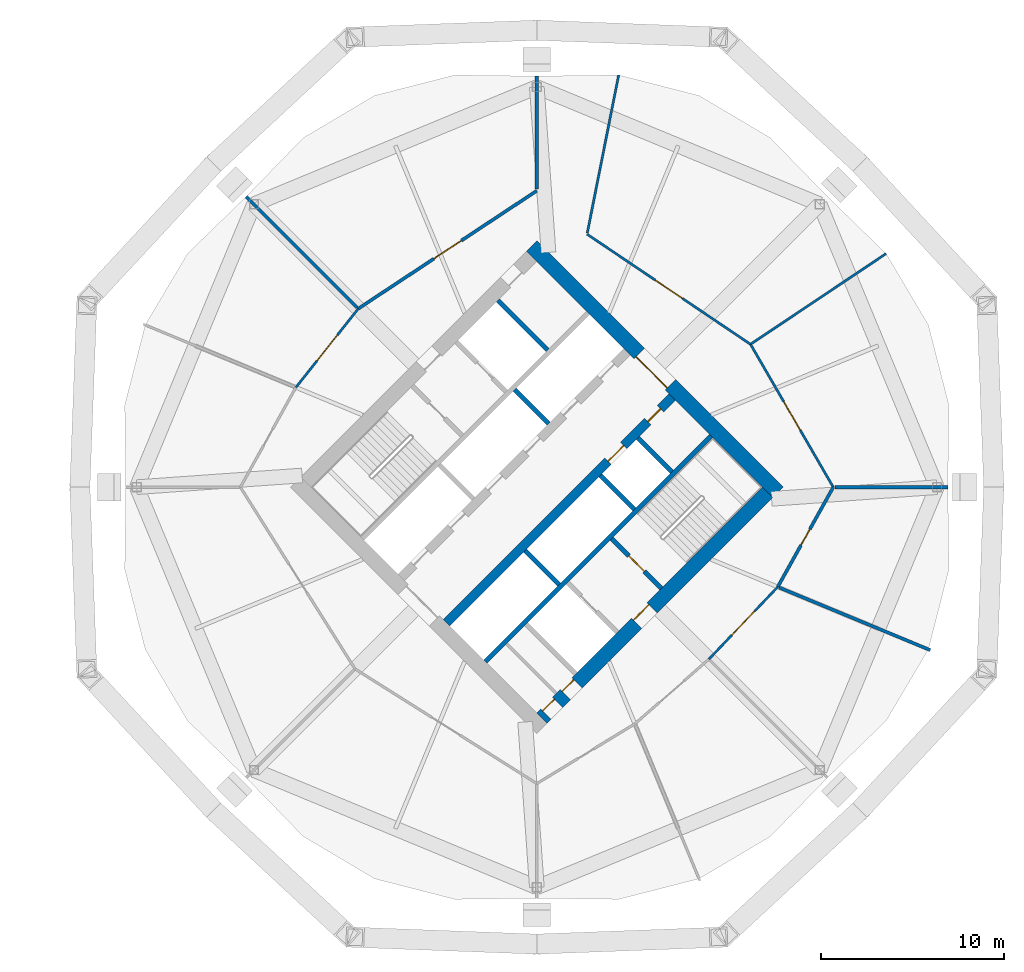
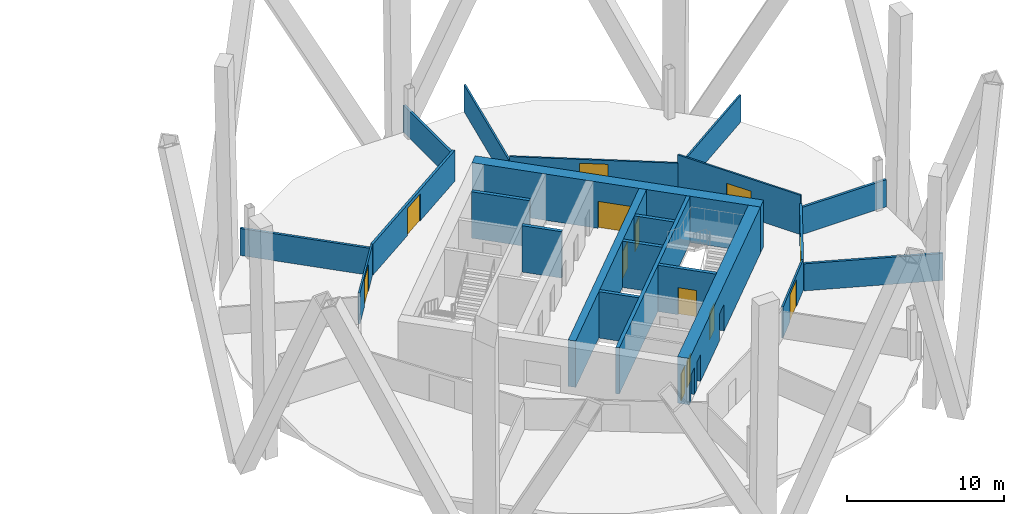
# One storey, part 7 of 10: 22 walls, 13 doors, 13 openings.
"""IFC4 building model written with IfcOpenShell, lengths in metres."""

from ifc_helpers import new_model, si_unit, direction, frame, frame_2d, origin, place, context, subcontext, project, spatial, rectangle, extrude, material, layer, layer_set, type_object, element, fill, save


model = new_model("IFC4")

# Units and contexts
model_context = context("Model", 3, precision=1e-05, world=origin(), true_north=direction((0.0, 1.0)))
body_context = subcontext(model_context, "Body", "Model", "MODEL_VIEW")
ifc_project = project(units=[si_unit("LENGTHUNIT", "METRE"), si_unit("AREAUNIT", "SQUARE_METRE"), si_unit("VOLUMEUNIT", "CUBIC_METRE"), si_unit("PLANEANGLEUNIT", "RADIAN"), si_unit("MASSUNIT", "GRAM", prefix="KILO")], contexts=[model_context])

# Site, building, storey
site_placement = place(None, origin())
site = spatial("IfcSite", under=ifc_project, at=site_placement, CompositionType="ELEMENT")
building_placement = place(site_placement, origin())
building = spatial("IfcBuilding", under=site, at=building_placement, Name="Ogive Gate Towers", CompositionType="ELEMENT")
storey_placement = place(building_placement, frame((0.0, 0.0, 36.300048828125)))
storey = spatial("IfcBuildingStorey", under=building, at=storey_placement, Name="L07", CompositionType="ELEMENT", Elevation=36.300048828125)

# Walls
ifc_material_1 = material(Name="Gypsum board acoustic partition")
ifc_layer_1 = layer(ifc_material_1, 0.175048828125)
ifc_layer_set_1 = layer_set([ifc_layer_1], Name="Acoustic partition 175")
wall_type_1 = type_object("IfcWallType", Name="Acoustic partition 175", PredefinedType="PARTITIONING", material=ifc_layer_set_1)
for number, where, z_axis, x_axis, name in (
    (1, (58.408935546875, 0.0, 0.0), (0.0, 0.0, 1.0), (-1.0, 0.0, 0.0), "Partition T2-L07-001"),
    (2, (36.0, 22.408935546875, 0.0), (0.0, 0.0, 1.0), (0.0, -1.0, 0.0), "Partition T2-L07-004"),
):
    element("IfcWall", number, at=place(storey_placement, frame(where, z_axis=z_axis, x_axis=x_axis)), inside=storey, type_object=wall_type_1, Name=name, PredefinedType="PARTITIONING", context=body_context, shape_type="SweptSolid", body=[
        extrude(rectangle(XDim=6.161376953125, YDim=0.175048828125, at=frame_2d((3.08056640625, 0.0))), origin(), (0.0, 0.0, 1.0), 2.099853515625),
    ])
wall_1_placement = place(storey_placement, frame((20.154296875, 15.845703125, 0.0), z_axis=(0.0, 0.0, 1.0), x_axis=(0.707106781187, -0.707106781187, 0.0)))
element("IfcWall", 3, at=wall_1_placement, inside=storey, type_object=wall_type_1, Name="Partition T2-L07-005", PredefinedType="PARTITIONING", context=body_context, shape_type="SweptSolid", body=[
    extrude(rectangle(XDim=8.557861328125, YDim=0.175048828125, at=frame_2d((4.27880859375, 0.0))), origin(), (0.0, 0.0, 1.0), 2.099853515625),
])
wall_2_placement = place(storey_placement, frame((57.452880859375, -8.885986328125, 0.0), z_axis=(0.0, 0.0, 1.0), x_axis=(-0.923884034118, 0.382672564344, 0.0)))
element("IfcWall", 4, at=wall_2_placement, inside=storey, type_object=wall_type_1, Name="Partition T2-L07-012", PredefinedType="PARTITIONING", context=body_context, shape_type="SweptSolid", body=[
    extrude(rectangle(XDim=8.917724609375, YDim=0.175048828125, at=frame_2d((4.458984375, 0.0))), origin(), (0.0, 0.0, 1.0), 2.099853515625),
])

# Wall, opening, door
wall_3_placement = place(storey_placement, frame((36.0, 16.159912109375, 0.0), z_axis=(0.0, 0.0, 1.0), x_axis=(-0.834464064911, -0.551062359785, 0.0)))
wall_3 = element("IfcWall", 5, at=wall_3_placement, inside=storey, type_object=wall_type_1, Name="Partition T2-L07-013", PredefinedType="PARTITIONING", context=body_context, shape_type="SweptSolid", body=[
    extrude(rectangle(XDim=11.663330078125, YDim=0.175048828125, at=frame_2d((5.83154296875, 0.0))), origin(), (0.0, 0.0, 1.0), 2.39990234375),
])
opening_1_placement = place(wall_3_placement, frame((4.931884765625, 0.0, 0.0)))
opening_1 = element("IfcOpeningElement", 6, at=opening_1_placement, cuts=wall_3, Name="Opening T2-L07-D01", PredefinedType="OPENING", context=body_context, shape_type="SweptSolid", body=[
    extrude(rectangle(XDim=1.800048828125, YDim=2.10009765625, at=frame_2d((0.89990234375, 1.050048828125))), frame((0.0, 0.09765625, 0.0), z_axis=(0.0, -1.0, 0.0), x_axis=(1.0, 0.0, 0.0)), (0.0, 0.0, 1.0), 0.195068359375),
])
ifc_material_2 = material(Name="Timber door", Category="wood")
door_type_1 = type_object("IfcDoorType", Name="Door pair 1800", OperationType="NOTDEFINED", PredefinedType="DOOR", material=ifc_material_2)
door_1_placement = place(opening_1_placement, origin())
door_1 = element("IfcDoor", 7, at=door_1_placement, inside=storey, type_object=door_type_1, Name="Door T2-L07-D01", OperationType="DOUBLE_DOOR_DOUBLE_SWING", OverallHeight=2.10009765625, OverallWidth=1.800048828125, PredefinedType="DOOR", context=body_context, shape_type="SweptSolid", body=[
    extrude(rectangle(XDim=1.800048828125, YDim=2.10009765625, at=frame_2d((0.89990234375, 1.050048828125))), frame((0.0, 0.02490234375, 0.0), z_axis=(0.0, -1.0, 0.0), x_axis=(1.0, 0.0, 0.0)), (0.0, 0.0, 1.0), 0.050048828125),
])
fill(opening_1, door_1)

wall_4_placement = place(storey_placement, frame((49.133056640625, -5.43994140625, 0.0), z_axis=(0.0, 0.0, 1.0), x_axis=(0.486215546884, 0.873838910766, 0.0)))
wall_4 = element("IfcWall", 8, at=wall_4_placement, inside=storey, type_object=wall_type_1, Name="Partition T2-L07-021", PredefinedType="PARTITIONING", context=body_context, shape_type="SweptSolid", body=[
    extrude(rectangle(XDim=6.225341796875, YDim=0.175048828125, at=frame_2d((3.11279296875, 0.0))), origin(), (0.0, 0.0, 1.0), 2.39990234375),
])
opening_2_placement = place(wall_4_placement, frame((2.613037109375, 0.0, 0.0)))
opening_2 = element("IfcOpeningElement", 9, at=opening_2_placement, cuts=wall_4, Name="Opening T2-L07-D09", PredefinedType="OPENING", context=body_context, shape_type="SweptSolid", body=[
    extrude(rectangle(XDim=1.0, YDim=2.10009765625, at=frame_2d((0.5, 1.050048828125))), frame((0.0, 0.09765625, 0.0), z_axis=(0.0, -1.0, 0.0), x_axis=(1.0, 0.0, 0.0)), (0.0, 0.0, 1.0), 0.195068359375),
])
door_type_2 = type_object("IfcDoorType", Name="Door 1000", OperationType="NOTDEFINED", PredefinedType="DOOR", material=ifc_material_2)
door_2_placement = place(opening_2_placement, origin())
door_2 = element("IfcDoor", 10, at=door_2_placement, inside=storey, type_object=door_type_2, Name="Door T2-L07-D09", OperationType="SINGLE_SWING_RIGHT", OverallHeight=2.10009765625, OverallWidth=1.0, PredefinedType="DOOR", context=body_context, shape_type="SweptSolid", body=[
    extrude(rectangle(XDim=1.0, YDim=2.10009765625, at=frame_2d((0.5, 1.050048828125))), frame((0.0, 0.02490234375, 0.0), z_axis=(0.0, -1.0, 0.0), x_axis=(1.0, 0.0, 0.0)), (0.0, 0.0, 1.0), 0.050048828125),
])
fill(opening_2, door_2)

# Wall, openings, doors
ifc_material_3 = material(Name="Concrete C60/75", Category="concrete")
ifc_layer_2 = layer(ifc_material_3, 0.800048828125)
ifc_layer_set_2 = layer_set([ifc_layer_2], Name="Core wall 800 mm")
wall_type_2 = type_object("IfcWallType", Name="Core wall 800 mm", PredefinedType="SHEAR", material=ifc_layer_set_2)
wall_5_placement = place(storey_placement, frame((36.28271484375, -12.58642578125, 0.0), z_axis=(0.0, 0.0, 1.0), x_axis=(0.707106781187, 0.707106781187, 0.0)))
wall_5 = element("IfcWall", 11, at=wall_5_placement, inside=storey, type_object=wall_type_2, Name="T2 L07 Core wall 800 mm", PredefinedType="SHEAR", context=body_context, shape_type="SweptSolid", body=[
    extrude(rectangle(XDim=17.400146484375, YDim=0.800048828125, at=frame_2d((8.7001953125, 0.0))), origin(), (0.0, 0.0, 1.0), 3.599853515625),
])
opening_3_placement = place(wall_5_placement, frame((7.300048828125, 0.0, 0.0)))
opening_3 = element("IfcOpeningElement", 12, at=opening_3_placement, cuts=wall_5, Name="Opening KD-T2-L07-16", PredefinedType="OPENING", context=body_context, shape_type="SweptSolid", body=[
    extrude(rectangle(XDim=1.199951171875, YDim=2.10009765625, at=frame_2d((0.60009765625, 1.050048828125))), frame((0.0, 0.41015625, 0.0), z_axis=(0.0, -1.0, 0.0), x_axis=(1.0, 0.0, 0.0)), (0.0, 0.0, 1.0), 0.820068359375),
])
opening_4_placement = place(wall_5_placement, frame((0.300048828125, 0.0, 0.0)))
opening_4 = element("IfcOpeningElement", 13, at=opening_4_placement, cuts=wall_5, Name="Opening KD-T2-L07-18", PredefinedType="OPENING", context=body_context, shape_type="SweptSolid", body=[
    extrude(rectangle(XDim=0.89990234375, YDim=2.10009765625, at=frame_2d((0.449951171875, 1.050048828125))), frame((0.0, 0.41015625, 0.0), z_axis=(0.0, -1.0, 0.0), x_axis=(1.0, 0.0, 0.0)), (0.0, 0.0, 1.0), 0.820068359375),
])
opening_5_placement = place(wall_5_placement, frame((1.800048828125, 0.0, 0.0)))
opening_5 = element("IfcOpeningElement", 14, at=opening_5_placement, cuts=wall_5, Name="Opening KD-T2-L07-19", PredefinedType="OPENING", context=body_context, shape_type="SweptSolid", body=[
    extrude(rectangle(XDim=0.89990234375, YDim=2.10009765625, at=frame_2d((0.449951171875, 1.050048828125))), frame((0.0, 0.41015625, 0.0), z_axis=(0.0, -1.0, 0.0), x_axis=(1.0, 0.0, 0.0)), (0.0, 0.0, 1.0), 0.820068359375),
])
door_type_3 = type_object("IfcDoorType", Name="Core WC door 900 x 2100", OperationType="NOTDEFINED", PredefinedType="DOOR", material=ifc_material_2)
door_3_placement = place(opening_4_placement, origin())
door_3 = element("IfcDoor", 15, at=door_3_placement, inside=storey, type_object=door_type_3, Name="T2 L07 Core door", OperationType="SINGLE_SWING_LEFT", OverallHeight=2.10009765625, OverallWidth=0.89990234375, PredefinedType="DOOR", context=body_context, shape_type="SweptSolid", body=[
    extrude(rectangle(XDim=0.89990234375, YDim=2.10009765625, at=frame_2d((0.449951171875, 1.050048828125))), frame((0.0, 0.27490234375, 0.0), z_axis=(0.0, -1.0, 0.0), x_axis=(1.0, 0.0, 0.0)), (0.0, 0.0, 1.0), 0.050048828125),
])
fill(opening_4, door_3)
door_4_placement = place(opening_5_placement, origin())
door_4 = element("IfcDoor", 16, at=door_4_placement, inside=storey, type_object=door_type_3, Name="T2 L07 Core door", OperationType="SINGLE_SWING_RIGHT", OverallHeight=2.10009765625, OverallWidth=0.89990234375, PredefinedType="DOOR", context=body_context, shape_type="SweptSolid", body=[
    extrude(rectangle(XDim=0.89990234375, YDim=2.10009765625, at=frame_2d((0.449951171875, 1.050048828125))), frame((0.0, 0.27490234375, 0.0), z_axis=(0.0, -1.0, 0.0), x_axis=(1.0, 0.0, 0.0)), (0.0, 0.0, 1.0), 0.050048828125),
])
fill(opening_5, door_4)
ifc_material_4 = material(Name="Steel fire door", Category="steel")
door_type_4 = type_object("IfcDoorType", Name="Core door FD60S 1200 x 2100", OperationType="NOTDEFINED", PredefinedType="DOOR", material=ifc_material_4)
door_5_placement = place(opening_3_placement, origin())
door_5 = element("IfcDoor", 17, at=door_5_placement, inside=storey, type_object=door_type_4, Name="T2 L07 Fire-fighting lobby door", OperationType="SINGLE_SWING_LEFT", OverallHeight=2.10009765625, OverallWidth=1.199951171875, PredefinedType="DOOR", context=body_context, shape_type="SweptSolid", body=[
    extrude(rectangle(XDim=1.199951171875, YDim=2.10009765625, at=frame_2d((0.60009765625, 1.050048828125))), frame((0.0, 0.27490234375, 0.0), z_axis=(0.0, -1.0, 0.0), x_axis=(1.0, 0.0, 0.0)), (0.0, 0.0, 1.0), 0.050048828125),
])
fill(opening_3, door_5)

# Wall, opening, door
wall_6_placement = place(storey_placement, frame((49.152099609375, -0.28271484375, 0.0), z_axis=(0.0, 0.0, 1.0), x_axis=(-0.707106781187, 0.707106781187, 0.0)))
wall_6 = element("IfcWall", 18, at=wall_6_placement, inside=storey, type_object=wall_type_2, Name="T2 L07 Core wall 800 mm", PredefinedType="SHEAR", context=body_context, shape_type="SweptSolid", body=[
    extrude(rectangle(XDim=18.999755859375, YDim=0.800048828125, at=frame_2d((9.5, 0.0))), origin(), (0.0, 0.0, 1.0), 3.599853515625),
])
opening_6_placement = place(wall_6_placement, frame((8.300048828125, 0.0, 0.0)))
opening_6 = element("IfcOpeningElement", 19, at=opening_6_placement, cuts=wall_6, Name="Opening KD-T2-L07-02", PredefinedType="OPENING", context=body_context, shape_type="SweptSolid", body=[
    extrude(rectangle(XDim=2.39990234375, YDim=2.10009765625, at=frame_2d((1.199951171875, 1.050048828125))), frame((0.0, 0.41015625, 0.0), z_axis=(0.0, -1.0, 0.0), x_axis=(1.0, 0.0, 0.0)), (0.0, 0.0, 1.0), 0.820068359375),
])
door_type_5 = type_object("IfcDoorType", Name="Core double door FD60S 2400 x 2100", OperationType="DOUBLE_DOOR_SINGLE_SWING", PredefinedType="DOOR", material=ifc_material_4)
door_6_placement = place(opening_6_placement, origin())
door_6 = element("IfcDoor", 20, at=door_6_placement, inside=storey, type_object=door_type_5, Name="T2 L07 Core door double", OperationType="DOUBLE_DOOR_SINGLE_SWING", OverallHeight=2.10009765625, OverallWidth=2.39990234375, PredefinedType="DOOR", context=body_context, shape_type="SweptSolid", body=[
    extrude(rectangle(XDim=2.39990234375, YDim=2.10009765625, at=frame_2d((1.199951171875, 1.050048828125))), frame((0.0, 0.27490234375, 0.0), z_axis=(0.0, -1.0, 0.0), x_axis=(1.0, 0.0, 0.0)), (0.0, 0.0, 1.0), 0.050048828125),
])
fill(opening_6, door_6)

# Walls
ifc_material_5 = material(Name="Gypsum board partition")
ifc_layer_3 = layer(ifc_material_5, 0.125)
ifc_layer_set_3 = layer_set([ifc_layer_3], Name="Partition 125")
wall_type_3 = type_object("IfcWallType", Name="Partition 125", PredefinedType="PARTITIONING", material=ifc_layer_set_3)
wall_7_placement = place(storey_placement, frame((55.044189453125, 12.734375, 0.0), z_axis=(0.0, 0.0, 1.0), x_axis=(-0.831275536351, -0.555860578441, 0.0)))
element("IfcWall", 21, at=wall_7_placement, inside=storey, type_object=wall_type_3, Name="Partition T2-L07-002", PredefinedType="PARTITIONING", context=body_context, shape_type="SweptSolid", body=[
    extrude(rectangle(XDim=8.83251953125, YDim=0.125, at=frame_2d((4.416259765625, 0.0))), origin(), (0.0, 0.0, 1.0), 2.099853515625),
])
wall_8_placement = place(storey_placement, frame((40.461669921875, 22.470947265625, 0.0), z_axis=(0.0, 0.0, 1.0), x_axis=(-0.194753354147, -0.980852247308, 0.0)))
element("IfcWall", 22, at=wall_8_placement, inside=storey, type_object=wall_type_3, Name="Partition T2-L07-003", PredefinedType="PARTITIONING", context=body_context, shape_type="SweptSolid", body=[
    extrude(rectangle(XDim=8.786376953125, YDim=0.125, at=frame_2d((4.39306640625, 0.0))), origin(), (0.0, 0.0, 1.0), 2.099853515625),
])

# Wall, opening, door
wall_9_placement = place(storey_placement, frame((26.267333984375, 9.732666015625, 0.0), z_axis=(0.0, 0.0, 1.0), x_axis=(-0.620925586951, -0.783869514313, 0.0)))
wall_9 = element("IfcWall", 23, at=wall_9_placement, inside=storey, type_object=wall_type_3, Name="Partition T2-L07-014", PredefinedType="PARTITIONING", context=body_context, shape_type="SweptSolid", body=[
    extrude(rectangle(XDim=5.476318359375, YDim=0.125, at=frame_2d((2.73828125, 0.0))), origin(), (0.0, 0.0, 1.0), 2.39990234375),
])
opening_7_placement = place(wall_9_placement, frame((1.837890625, 0.0, 0.0)))
opening_7 = element("IfcOpeningElement", 24, at=opening_7_placement, cuts=wall_9, Name="Opening T2-L07-D02", PredefinedType="OPENING", context=body_context, shape_type="SweptSolid", body=[
    extrude(rectangle(XDim=1.800048828125, YDim=2.10009765625, at=frame_2d((0.89990234375, 1.050048828125))), frame((0.0, 0.072509765625, 0.0), z_axis=(0.0, -1.0, 0.0), x_axis=(1.0, 0.0, 0.0)), (0.0, 0.0, 1.0), 0.14501953125),
])
door_7_placement = place(opening_7_placement, origin())
door_7 = element("IfcDoor", 25, at=door_7_placement, inside=storey, type_object=door_type_1, Name="Door T2-L07-D02", OperationType="DOUBLE_DOOR_DOUBLE_SWING", OverallHeight=2.10009765625, OverallWidth=1.800048828125, PredefinedType="DOOR", context=body_context, shape_type="SweptSolid", body=[
    extrude(rectangle(XDim=1.800048828125, YDim=2.10009765625, at=frame_2d((0.89990234375, 1.050048828125))), frame((0.0, 0.02490234375, 0.0), z_axis=(0.0, -1.0, 0.0), x_axis=(1.0, 0.0, 0.0)), (0.0, 0.0, 1.0), 0.050048828125),
])
fill(opening_7, door_7)

wall_10_placement = place(storey_placement, frame((45.379150390625, -9.379150390625, 0.0), z_axis=(0.0, 0.0, 1.0), x_axis=(0.689874727508, 0.723928767452, 0.0)))
wall_10 = element("IfcWall", 26, at=wall_10_placement, inside=storey, type_object=wall_type_3, Name="Partition T2-L07-020", PredefinedType="PARTITIONING", context=body_context, shape_type="SweptSolid", body=[
    extrude(rectangle(XDim=5.44140625, YDim=0.125, at=frame_2d((2.720703125, 0.0))), origin(), (0.0, 0.0, 1.0), 2.39990234375),
])
opening_8_placement = place(wall_10_placement, frame((1.821044921875, 0.0, 0.0)))
opening_8 = element("IfcOpeningElement", 27, at=opening_8_placement, cuts=wall_10, Name="Opening T2-L07-D08", PredefinedType="OPENING", context=body_context, shape_type="SweptSolid", body=[
    extrude(rectangle(XDim=1.800048828125, YDim=2.10009765625, at=frame_2d((0.89990234375, 1.050048828125))), frame((0.0, 0.072509765625, 0.0), z_axis=(0.0, -1.0, 0.0), x_axis=(1.0, 0.0, 0.0)), (0.0, 0.0, 1.0), 0.14501953125),
])
door_8_placement = place(opening_8_placement, origin())
door_8 = element("IfcDoor", 28, at=door_8_placement, inside=storey, type_object=door_type_1, Name="Door T2-L07-D08", OperationType="DOUBLE_DOOR_DOUBLE_SWING", OverallHeight=2.10009765625, OverallWidth=1.800048828125, PredefinedType="DOOR", context=body_context, shape_type="SweptSolid", body=[
    extrude(rectangle(XDim=1.800048828125, YDim=2.10009765625, at=frame_2d((0.89990234375, 1.050048828125))), frame((0.0, 0.02490234375, 0.0), z_axis=(0.0, -1.0, 0.0), x_axis=(1.0, 0.0, 0.0)), (0.0, 0.0, 1.0), 0.050048828125),
])
fill(opening_8, door_8)

wall_11_placement = place(storey_placement, frame((52.159912109375, 0.0, 0.0), z_axis=(0.0, 0.0, 1.0), x_axis=(-0.501035201394, 0.86542690446, 0.0)))
wall_11 = element("IfcWall", 29, at=wall_11_placement, inside=storey, type_object=wall_type_3, Name="Partition T2-L07-022", PredefinedType="PARTITIONING", context=body_context, shape_type="SweptSolid", body=[
    extrude(rectangle(XDim=9.00146484375, YDim=0.125, at=frame_2d((4.500732421875, 0.0))), origin(), (0.0, 0.0, 1.0), 3.050048828125),
])
opening_9_placement = place(wall_11_placement, frame((3.60107421875, 0.0, 0.0)))
opening_9 = element("IfcOpeningElement", 30, at=opening_9_placement, cuts=wall_11, Name="Opening T2-L07-D10", PredefinedType="OPENING", context=body_context, shape_type="SweptSolid", body=[
    extrude(rectangle(XDim=1.800048828125, YDim=2.10009765625, at=frame_2d((0.89990234375, 1.050048828125))), frame((0.0, 0.072509765625, 0.0), z_axis=(0.0, -1.0, 0.0), x_axis=(1.0, 0.0, 0.0)), (0.0, 0.0, 1.0), 0.14501953125),
])
door_9_placement = place(opening_9_placement, origin())
door_9 = element("IfcDoor", 31, at=door_9_placement, inside=storey, type_object=door_type_1, Name="Door T2-L07-D10", OperationType="DOUBLE_DOOR_DOUBLE_SWING", OverallHeight=2.10009765625, OverallWidth=1.800048828125, PredefinedType="DOOR", context=body_context, shape_type="SweptSolid", body=[
    extrude(rectangle(XDim=1.800048828125, YDim=2.10009765625, at=frame_2d((0.89990234375, 1.050048828125))), frame((0.0, 0.02490234375, 0.0), z_axis=(0.0, -1.0, 0.0), x_axis=(1.0, 0.0, 0.0)), (0.0, 0.0, 1.0), 0.050048828125),
])
fill(opening_9, door_9)

wall_12_placement = place(storey_placement, frame((47.64990234375, 7.7900390625, 0.0), z_axis=(0.0, 0.0, 1.0), x_axis=(-0.829447240364, 0.558585065548, 0.0)))
wall_12 = element("IfcWall", 32, at=wall_12_placement, inside=storey, type_object=wall_type_3, Name="Partition T2-L07-023", PredefinedType="PARTITIONING", context=body_context, shape_type="SweptSolid", body=[
    extrude(rectangle(XDim=10.744140625, YDim=0.125, at=frame_2d((5.3720703125, 0.0))), origin(), (0.0, 0.0, 1.0), 2.39990234375),
])
opening_10_placement = place(wall_12_placement, frame((4.471923828125, 0.0, 0.0)))
opening_10 = element("IfcOpeningElement", 33, at=opening_10_placement, cuts=wall_12, Name="Opening T2-L07-D11", PredefinedType="OPENING", context=body_context, shape_type="SweptSolid", body=[
    extrude(rectangle(XDim=1.800048828125, YDim=2.10009765625, at=frame_2d((0.89990234375, 1.050048828125))), frame((0.0, 0.072509765625, 0.0), z_axis=(0.0, -1.0, 0.0), x_axis=(1.0, 0.0, 0.0)), (0.0, 0.0, 1.0), 0.14501953125),
])
door_10_placement = place(opening_10_placement, origin())
door_10 = element("IfcDoor", 34, at=door_10_placement, inside=storey, type_object=door_type_1, Name="Door T2-L07-D11", OperationType="DOUBLE_DOOR_DOUBLE_SWING", OverallHeight=2.10009765625, OverallWidth=1.800048828125, PredefinedType="DOOR", context=body_context, shape_type="SweptSolid", body=[
    extrude(rectangle(XDim=1.800048828125, YDim=2.10009765625, at=frame_2d((0.89990234375, 1.050048828125))), frame((0.0, 0.02490234375, 0.0), z_axis=(0.0, -1.0, 0.0), x_axis=(1.0, 0.0, 0.0)), (0.0, 0.0, 1.0), 0.050048828125),
])
fill(opening_10, door_10)

# Walls
ifc_layer_4 = layer(ifc_material_3, 0.25)
ifc_layer_set_4 = layer_set([ifc_layer_4], Name="Shaft wall 250 mm")
wall_type_4 = type_object("IfcWallType", Name="Shaft wall 250 mm", PredefinedType="SHEAR", material=ifc_layer_set_4)
wall_13_placement = place(storey_placement, frame((33.206787109375, -9.510498046875, 0.0), z_axis=(0.0, 0.0, 1.0), x_axis=(0.707106781187, 0.707106781187, 0.0)))
element("IfcWall", 35, at=wall_13_placement, inside=storey, type_object=wall_type_4, Name="T2 L07 Shaft wall 250 mm", PredefinedType="SHEAR", context=body_context, shape_type="SweptSolid", body=[
    extrude(rectangle(XDim=17.400146484375, YDim=0.25, at=frame_2d((8.7001953125, 0.0))), origin(), (0.0, 0.0, 1.0), 3.599853515625),
])
wall_14_placement = place(storey_placement, frame((37.2197265625, -5.321044921875, 0.0), z_axis=(0.0, 0.0, 1.0), x_axis=(-0.707106781187, 0.707106781187, 0.0)))
element("IfcWall", 36, at=wall_14_placement, inside=storey, type_object=wall_type_4, Name="T2 L07 Shaft wall 250 mm", PredefinedType="SHEAR", context=body_context, shape_type="SweptSolid", body=[
    extrude(rectangle(XDim=2.625, YDim=0.25, at=frame_2d((1.3125, 0.0))), origin(), (0.0, 0.0, 1.0), 3.599853515625),
])

# Wall, opening, door
wall_15_placement = place(storey_placement, frame((42.7880859375, -5.515380859375, 0.0), z_axis=(0.0, 0.0, 1.0), x_axis=(-0.707106781187, 0.707106781187, 0.0)))
wall_15 = element("IfcWall", 37, at=wall_15_placement, inside=storey, type_object=wall_type_4, Name="T2 L07 Shaft wall 250 mm", PredefinedType="SHEAR", context=body_context, shape_type="SweptSolid", body=[
    extrude(rectangle(XDim=3.824951171875, YDim=0.25, at=frame_2d((1.91259765625, 0.0))), origin(), (0.0, 0.0, 1.0), 3.599853515625),
])
opening_11_placement = place(wall_15_placement, frame((1.300048828125, 0.0, 0.0)))
opening_11 = element("IfcOpeningElement", 38, at=opening_11_placement, cuts=wall_15, Name="Opening KD-T2-L07-14", PredefinedType="OPENING", context=body_context, shape_type="SweptSolid", body=[
    extrude(rectangle(XDim=1.199951171875, YDim=2.10009765625, at=frame_2d((0.60009765625, 1.050048828125))), frame((0.0, 0.135009765625, 0.0), z_axis=(0.0, -1.0, 0.0), x_axis=(1.0, 0.0, 0.0)), (0.0, 0.0, 1.0), 0.27001953125),
])
door_11_placement = place(opening_11_placement, origin())
door_11 = element("IfcDoor", 39, at=door_11_placement, inside=storey, type_object=door_type_4, Name="T2 L07 Stair door", OperationType="SINGLE_SWING_LEFT", OverallHeight=2.10009765625, OverallWidth=1.199951171875, PredefinedType="DOOR", context=body_context, shape_type="SweptSolid", body=[
    extrude(rectangle(XDim=1.199951171875, YDim=2.10009765625, at=frame_2d((0.60009765625, 1.050048828125))), frame((0.0, 0.02490234375, 0.0), z_axis=(0.0, -1.0, 0.0), x_axis=(1.0, 0.0, 0.0)), (0.0, 0.0, 1.0), 0.050048828125),
])
fill(opening_11, door_11)

# Walls
for number, where, z_axis, x_axis, name in (
    (40, (41.321044921875, -1.2197265625, 0.0), (0.0, 0.0, 1.0), (-0.707106781187, 0.707106781187, 0.0), "T2 L07 Shaft wall 250 mm"),
    (41, (36.636474609375, 3.46484375, 0.0), (0.0, 0.0, 1.0), (-0.707106781187, 0.707106781187, 0.0), "T2 L07 Shaft wall 250 mm"),
):
    element("IfcWall", number, at=place(storey_placement, frame(where, z_axis=z_axis, x_axis=x_axis)), inside=storey, type_object=wall_type_4, Name=name, PredefinedType="SHEAR", context=body_context, shape_type="SweptSolid", body=[
        extrude(rectangle(XDim=2.625, YDim=0.25, at=frame_2d((1.3125, 0.0))), origin(), (0.0, 0.0, 1.0), 3.599853515625),
    ])
wall_16_placement = place(storey_placement, frame((36.58349609375, 7.477783203125, 0.0), z_axis=(0.0, 0.0, 1.0), x_axis=(-0.707138693938, 0.707074866995, 0.0)))
element("IfcWall", 42, at=wall_16_placement, inside=storey, type_object=wall_type_4, Name="T2 L07 Shaft wall 250 mm", PredefinedType="SHEAR", context=body_context, shape_type="SweptSolid", body=[
    extrude(rectangle(XDim=3.824951171875, YDim=0.25, at=frame_2d((1.91259765625, 0.0))), origin(), (0.0, 0.0, 1.0), 3.599853515625),
])
wall_17_placement = place(storey_placement, frame((43.37158203125, 0.830810546875, 0.0), z_axis=(0.0, 0.0, 1.0), x_axis=(-0.707106781187, 0.707106781187, 0.0)))
element("IfcWall", 43, at=wall_17_placement, inside=storey, type_object=wall_type_4, Name="T2 L07 Shaft wall 250 mm", PredefinedType="SHEAR", context=body_context, shape_type="SweptSolid", body=[
    extrude(rectangle(XDim=2.625, YDim=0.25, at=frame_2d((1.3125, 0.0))), origin(), (0.0, 0.0, 1.0), 3.599853515625),
])

# Wall, openings, doors
ifc_layer_5 = layer(ifc_material_3, 0.5)
ifc_layer_set_5 = layer_set([ifc_layer_5], Name="Spine wall 500 mm")
wall_type_5 = type_object("IfcWallType", Name="Spine wall 500 mm", PredefinedType="SHEAR", material=ifc_layer_set_5)
wall_18_placement = place(storey_placement, frame((31.085693359375, -7.389404296875, 0.0), z_axis=(0.0, 0.0, 1.0), x_axis=(0.707106781187, 0.707106781187, 0.0)))
wall_18 = element("IfcWall", 44, at=wall_18_placement, inside=storey, type_object=wall_type_5, Name="T2 L07 Spine wall 500 mm", PredefinedType="SHEAR", context=body_context, shape_type="SweptSolid", body=[
    extrude(rectangle(XDim=17.400146484375, YDim=0.5, at=frame_2d((8.7001953125, 0.0))), origin(), (0.0, 0.0, 1.0), 3.599853515625),
])
opening_12_placement = place(wall_18_placement, frame((12.449951171875, 0.0, 0.0)))
opening_12 = element("IfcOpeningElement", 45, at=opening_12_placement, cuts=wall_18, Name="Opening LD-T2-L07-09", PredefinedType="OPENING", context=body_context, shape_type="SweptSolid", body=[
    extrude(rectangle(XDim=1.199951171875, YDim=2.10009765625, at=frame_2d((0.60009765625, 1.050048828125))), frame((0.0, 0.260009765625, 0.0), z_axis=(0.0, -1.0, 0.0), x_axis=(1.0, 0.0, 0.0)), (0.0, 0.0, 1.0), 0.52001953125),
])
opening_13_placement = place(wall_18_placement, frame((15.5, 0.0, 0.0)))
opening_13 = element("IfcOpeningElement", 46, at=opening_13_placement, cuts=wall_18, Name="Opening KD-T2-L07-12", PredefinedType="OPENING", context=body_context, shape_type="SweptSolid", body=[
    extrude(rectangle(XDim=1.0, YDim=2.10009765625, at=frame_2d((0.5, 1.050048828125))), frame((0.0, 0.260009765625, 0.0), z_axis=(0.0, -1.0, 0.0), x_axis=(1.0, 0.0, 0.0)), (0.0, 0.0, 1.0), 0.52001953125),
])
door_type_6 = type_object("IfcDoorType", Name="Core door FD60S 1000 x 2100", OperationType="NOTDEFINED", PredefinedType="DOOR", material=ifc_material_4)
door_12_placement = place(opening_13_placement, origin())
door_12 = element("IfcDoor", 47, at=door_12_placement, inside=storey, type_object=door_type_6, Name="T2 L07 Core door", OperationType="SINGLE_SWING_LEFT", OverallHeight=2.10009765625, OverallWidth=1.0, PredefinedType="DOOR", context=body_context, shape_type="SweptSolid", body=[
    extrude(rectangle(XDim=1.0, YDim=2.10009765625, at=frame_2d((0.5, 1.050048828125))), frame((0.0, 0.02490234375, 0.0), z_axis=(0.0, -1.0, 0.0), x_axis=(1.0, 0.0, 0.0)), (0.0, 0.0, 1.0), 0.050048828125),
])
fill(opening_13, door_12)
ifc_material_6 = material(Name="Stainless steel landing door", Category="steel")
door_type_7 = type_object("IfcDoorType", Name="Landing door 1200 x 2100", OperationType="SLIDING_TO_LEFT", PredefinedType="DOOR", material=ifc_material_6)
door_13_placement = place(opening_12_placement, origin())
door_13 = element("IfcDoor", 48, at=door_13_placement, inside=storey, type_object=door_type_7, Name="T2 L07 Lift landing door SVC", OperationType="SLIDING_TO_LEFT", OverallHeight=2.10009765625, OverallWidth=1.199951171875, PredefinedType="DOOR", context=body_context, shape_type="SweptSolid", body=[
    extrude(rectangle(XDim=1.199951171875, YDim=2.10009765625, at=frame_2d((0.60009765625, 1.050048828125))), frame((0.0, 0.02490234375, 0.0), z_axis=(0.0, -1.0, 0.0), x_axis=(1.0, 0.0, 0.0)), (0.0, 0.0, 1.0), 0.050048828125),
])
fill(opening_12, door_13)

save(model, "model.ifc")
